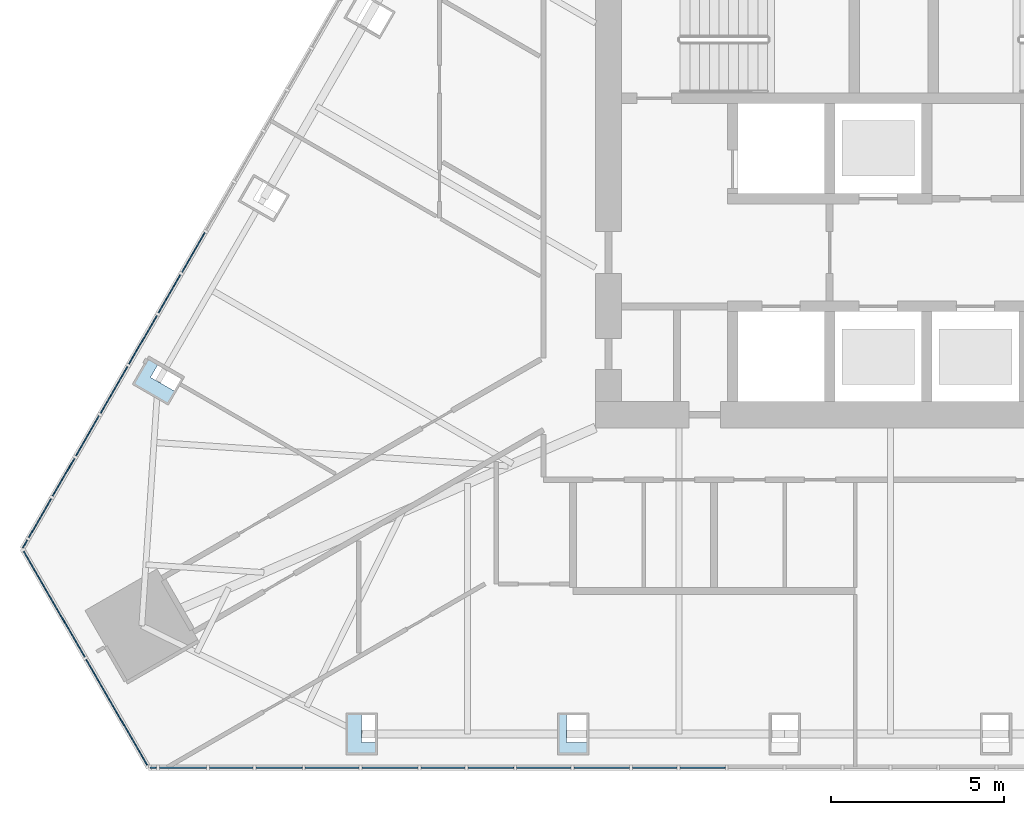
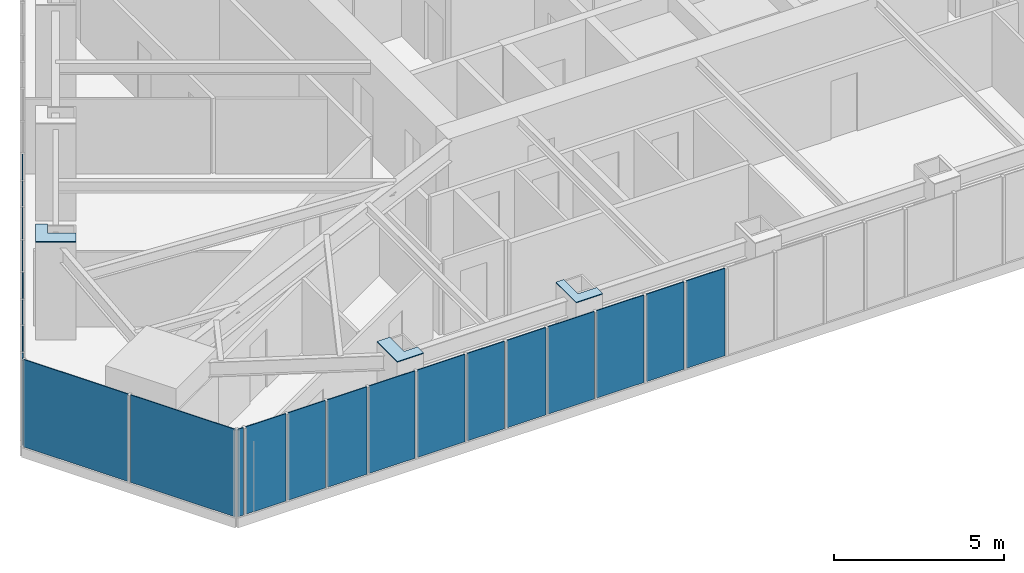
# One storey, part 10 of 20: 25 plates, 3 elements without a shape of their own.
"""IFC4 building model written with IfcOpenShell, lengths in metres."""

from ifc_helpers import new_model, si_unit, direction, frame, origin, place, context, subcontext, project, spatial, polyline, outline, extrude, material, layer, layer_set, type_object, element, aggregate, save


model = new_model("IFC4")

# Units and contexts
model_context = context("Model", 3, precision=1e-05, world=origin(), true_north=direction((0.0, 1.0)))
body_context = subcontext(model_context, "Body", "Model", "MODEL_VIEW")
ifc_project = project(units=[si_unit("LENGTHUNIT", "METRE"), si_unit("AREAUNIT", "SQUARE_METRE"), si_unit("VOLUMEUNIT", "CUBIC_METRE"), si_unit("PLANEANGLEUNIT", "RADIAN"), si_unit("MASSUNIT", "GRAM", prefix="KILO")], contexts=[model_context])

# Site, building, storey
site_placement = place(None, origin())
site = spatial("IfcSite", under=ifc_project, at=site_placement, CompositionType="ELEMENT")
building_placement = place(site_placement, origin())
building = spatial("IfcBuilding", under=site, at=building_placement, Name="Firuza Gate Tower and Library", CompositionType="ELEMENT")
storey_placement = place(building_placement, frame((0.0, 0.0, 305.60009765625)))
storey = spatial("IfcBuildingStorey", under=building, at=storey_placement, Name="L74", CompositionType="ELEMENT", Elevation=305.60009765625)

# Plates
ifc_material_1 = material(Name="Steel S355", Category="steel")
ifc_layer_1 = layer(ifc_material_1, 0.030029296875)
ifc_layer_set_1 = layer_set([ifc_layer_1], Name="Column infill plate 30 Steel S355")
plate_type_1 = type_object("IfcPlateType", Name="Column infill plate 30 Steel S355", PredefinedType="SHEET", material=ifc_layer_set_1)
placement_1 = place(storey_placement, frame((0.0, 0.0, 3.5)))
element("IfcPlate", 1, at=placement_1, inside=storey, type_object=plate_type_1, Name="Infill plate L74:S1", PredefinedType="SHEET", context=body_context, shape_type="SweptSolid", body=[
    extrude(outline(polyline([(60.2099609375, 58.82470703125), (60.2099609375, 59.180419921875), (59.75, 59.180419921875), (59.75, 60.024658203125), (59.31005859375, 60.024658203125), (59.31005859375, 58.82470703125), (60.2099609375, 58.82470703125)])), origin(), (0.0, 0.0, 1.0), 0.02978515625),
])
element("IfcPlate", 2, at=placement_1, inside=storey, type_object=plate_type_1, Name="Infill plate L74:S2", PredefinedType="SHEET", context=body_context, shape_type="SweptSolid", body=[
    extrude(outline(polyline([(66.305908203125, 58.82470703125), (66.305908203125, 59.180419921875), (65.669921875, 59.180419921875), (65.669921875, 60.024658203125), (65.406005859375, 60.024658203125), (65.406005859375, 58.82470703125), (66.305908203125, 58.82470703125)])), origin(), (0.0, 0.0, 1.0), 0.02978515625),
])
element("IfcPlate", 3, at=placement_1, inside=storey, type_object=plate_type_1, Name="Infill plate L74:W6", PredefinedType="SHEET", context=body_context, shape_type="SweptSolid", body=[
    extrude(outline(polyline([(54.18603515625, 68.899658203125), (54.406005859375, 69.28076171875), (53.6748046875, 69.702880859375), (53.90478515625, 70.101318359375), (53.596923828125, 70.279052734375), (53.146728515625, 69.499755859375), (54.18603515625, 68.899658203125)])), origin(), (0.0, 0.0, 1.0), 0.02978515625),
])

# Curtain wall, plates
ifc_material_2 = material(Name="Aluminium 6063-T6", Category="aluminium")
ifc_layer_2 = layer(ifc_material_2, 0.14990234375)
ifc_layer_set_2 = layer_set([ifc_layer_2], Name="Corner curtain wall, chamfers")
curtain_wall_type_1 = type_object("IfcCurtainWallType", Name="Corner curtain wall, chamfers", PredefinedType="NOTDEFINED", material=ifc_layer_set_2)
placement_2 = place(storey_placement, origin())
curtain_wall_1 = element("IfcCurtainWall", 4, at=placement_2, inside=storey, type_object=curtain_wall_type_1, Name="CW4 L74 SW corner", PredefinedType="NOTDEFINED")
ifc_material_3 = material(Name="Fritted glass", Category="glass")
ifc_layer_3 = layer(ifc_material_3, 0.030029296875)
ifc_layer_set_3 = layer_set([ifc_layer_3], Name="Fritted glass unit, corners")
plate_type_2 = type_object("IfcPlateType", Name="Fritted glass unit, corners", PredefinedType="CURTAIN_PANEL", material=ifc_layer_set_3)
plate_4_placement = place(storey_placement, frame((49.984375, 64.718017578125, 0.14990234375), z_axis=(-0.866016723041, -0.500015035186, 0.0), x_axis=(0.500015035186, -0.866016723041, 0.0)))
plate_4 = element("IfcPlate", 5, at=plate_4_placement, type_object=plate_type_2, Name="Glass unit", PredefinedType="CURTAIN_PANEL", context=body_context, shape_type="SweptSolid", body=[
    extrude(outline(polyline([(0.0, 0.0), (3.5633694106530625, 0.0), (3.5633694106530625, 3.14990234375), (0.0, 3.14990234375), (0.0, 0.0)])), origin(), (0.0, 0.0, -1.0), 0.030029296875),
])
plate_5_placement = place(storey_placement, frame((51.80615234375, 61.562744140625, 0.14990234375), z_axis=(-0.866046390552, -0.49996364809, 0.0), x_axis=(0.49996364809, -0.866046390552, 0.0)))
plate_5 = element("IfcPlate", 6, at=plate_5_placement, type_object=plate_type_2, Name="Glass unit", PredefinedType="CURTAIN_PANEL", context=body_context, shape_type="SweptSolid", body=[
    extrude(outline(polyline([(0.0, 0.0), (3.563247342942594, 0.0), (3.563247342942594, 3.14990234375), (0.0, 3.14990234375), (0.0, 0.0)])), origin(), (0.0, 0.0, -1.0), 0.030029296875),
])
aggregate(curtain_wall_1, [plate_4, plate_5])

ifc_material_4 = material(Name="Aluminium 6063-T6", Category="aluminium")
ifc_layer_4 = layer(ifc_material_4, 0.14990234375)
ifc_layer_set_4 = layer_set([ifc_layer_4], Name="Unitised curtain wall, residences")
curtain_wall_type_2 = type_object("IfcCurtainWallType", Name="Unitised curtain wall, residences", PredefinedType="NOTDEFINED", material=ifc_layer_set_4)
curtain_wall_2 = element("IfcCurtainWall", 7, at=placement_2, inside=storey, type_object=curtain_wall_type_2, Name="CW3 L74 S face", PredefinedType="NOTDEFINED")
ifc_material_5 = material(Name="Fritted glass", Category="glass")
ifc_layer_5 = layer(ifc_material_5, 0.030029296875)
ifc_layer_set_5 = layer_set([ifc_layer_5], Name="Fritted glass unit, residences")
plate_type_3 = type_object("IfcPlateType", Name="Fritted glass unit, residences", PredefinedType="CURTAIN_PANEL", material=ifc_layer_set_5)
plate_6_placement = place(storey_placement, frame((53.9267578125, 58.434814453125, 0.14990234375), z_axis=(0.0, -1.0, 0.0), x_axis=(1.0, 0.0, 0.0)))
plate_6 = element("IfcPlate", 8, at=plate_6_placement, type_object=plate_type_3, Name="Glass unit", PredefinedType="CURTAIN_PANEL", context=body_context, shape_type="SweptSolid", body=[
    extrude(outline(polyline([(0.0, 0.0), (1.36669921875, 0.0), (1.36669921875, 3.14990234375), (0.0, 3.14990234375), (0.0, 0.0)])), origin(), (0.0, 0.0, -1.0), 0.030029296875),
])
plate_7_placement = place(storey_placement, frame((58.130615234375, 58.434814453125, 0.14990234375), z_axis=(0.0, -1.0, 0.0), x_axis=(1.0, 0.0, 0.0)))
plate_7 = element("IfcPlate", 9, at=plate_7_placement, type_object=plate_type_3, Name="Glass unit", PredefinedType="CURTAIN_PANEL", context=body_context, shape_type="SweptSolid", body=[
    extrude(outline(polyline([(0.0, 0.0), (1.558349609375, 0.0), (1.558349609375, 3.14990234375), (0.0, 3.14990234375), (0.0, 0.0)])), origin(), (0.0, 0.0, -1.0), 0.030029296875),
])
plate_8_placement = place(storey_placement, frame((59.76904296875, 58.434814453125, 0.14990234375), z_axis=(0.0, -1.0, 0.0), x_axis=(1.0, 0.0, 0.0)))
plate_8 = element("IfcPlate", 10, at=plate_8_placement, type_object=plate_type_3, Name="Glass unit", PredefinedType="CURTAIN_PANEL", context=body_context, shape_type="SweptSolid", body=[
    extrude(outline(polyline([(0.0, 0.0), (1.620361328125, 0.0), (1.620361328125, 3.14990234375), (0.0, 3.14990234375), (0.0, 0.0)])), origin(), (0.0, 0.0, -1.0), 0.030029296875),
])
plate_9_placement = place(storey_placement, frame((64.2265625, 58.434814453125, 0.14990234375), z_axis=(0.0, -1.0, 0.0), x_axis=(1.0, 0.0, 0.0)))
plate_9 = element("IfcPlate", 11, at=plate_9_placement, type_object=plate_type_3, Name="Glass unit", PredefinedType="CURTAIN_PANEL", context=body_context, shape_type="SweptSolid", body=[
    extrude(outline(polyline([(0.0, 0.0), (1.57080078125, 0.0), (1.57080078125, 3.14990234375), (0.0, 3.14990234375), (0.0, 0.0)])), origin(), (0.0, 0.0, -1.0), 0.030029296875),
])
plate_10_placement = place(storey_placement, frame((65.87744140625, 58.434814453125, 0.14990234375), z_axis=(0.0, -1.0, 0.0), x_axis=(1.0, 0.0, 0.0)))
plate_10 = element("IfcPlate", 12, at=plate_10_placement, type_object=plate_type_3, Name="Glass unit", PredefinedType="CURTAIN_PANEL", context=body_context, shape_type="SweptSolid", body=[
    extrude(outline(polyline([(0.0, 0.0), (1.60791015625, 0.0), (1.60791015625, 3.14990234375), (0.0, 3.14990234375), (0.0, 0.0)])), origin(), (0.0, 0.0, -1.0), 0.030029296875),
])

curtain_wall_3 = element("IfcCurtainWall", 13, at=placement_2, inside=storey, type_object=curtain_wall_type_2, Name="CW3 L74 W face", PredefinedType="NOTDEFINED")
plate_11_placement = place(storey_placement, frame((53.8486328125, 71.49560546875, 0.14990234375), z_axis=(-0.866065156741, 0.499931139538, 0.0), x_axis=(-0.499931139538, -0.866065156741, 0.0)))
plate_11 = element("IfcPlate", 14, at=plate_11_placement, type_object=plate_type_3, Name="Glass unit", PredefinedType="CURTAIN_PANEL", context=body_context, shape_type="SweptSolid", body=[
    extrude(outline(polyline([(0.0, 0.0), (1.6203403422686624, 0.0), (1.6203403422686624, 3.14990234375), (0.0, 3.14990234375), (0.0, 0.0)])), origin(), (0.0, 0.0, -1.0), 0.030029296875),
])
plate_12_placement = place(storey_placement, frame((52.99853515625, 70.02294921875, 0.14990234375), z_axis=(-0.866065581584, 0.499930403552, 0.0), x_axis=(-0.499930403552, -0.866065581584, 0.0)))
plate_12 = element("IfcPlate", 15, at=plate_12_placement, type_object=plate_type_3, Name="Glass unit", PredefinedType="CURTAIN_PANEL", context=body_context, shape_type="SweptSolid", body=[
    extrude(outline(polyline([(0.0, 0.0), (1.5583223761549003, 0.0), (1.5583223761549003, 3.14990234375), (0.0, 3.14990234375), (0.0, 0.0)])), origin(), (0.0, 0.0, -1.0), 0.030029296875),
])
plate_13_placement = place(storey_placement, frame((50.80078125, 66.21630859375, 0.14990234375), z_axis=(-0.865995042048, 0.500052584384, 0.0), x_axis=(-0.500052584384, -0.865995042048, 0.0)))
plate_13 = element("IfcPlate", 16, at=plate_13_placement, type_object=plate_type_3, Name="Glass unit", PredefinedType="CURTAIN_PANEL", context=body_context, shape_type="SweptSolid", body=[
    extrude(outline(polyline([(0.0, 0.0), (1.3016209226321132, 0.0), (1.3016209226321132, 3.14990234375), (0.0, 3.14990234375), (0.0, 0.0)])), origin(), (0.0, 0.0, -1.0), 0.030029296875),
])

# Plate
ifc_material_6 = material(Name="Glazed ceramic tile")
ifc_layer_6 = layer(ifc_material_6, 0.030029296875)
ifc_layer_set_6 = layer_set([ifc_layer_6], Name="Opaque ceramic panel, residences")
plate_type_4 = type_object("IfcPlateType", Name="Opaque ceramic panel, residences", PredefinedType="CURTAIN_PANEL", material=ifc_layer_set_6)
plate_14_placement = place(storey_placement, frame((53.66064453125, 58.434814453125, 0.14990234375), z_axis=(0.0, -1.0, 0.0), x_axis=(1.0, 0.0, 0.0)))
plate_14 = element("IfcPlate", 17, at=plate_14_placement, type_object=plate_type_4, Name="Opaque ceramic panel", PredefinedType="CURTAIN_PANEL", context=body_context, shape_type="SweptSolid", body=[
    extrude(outline(polyline([(0.0, 0.0), (0.18603515625, 0.0), (0.18603515625, 3.14990234375), (0.0, 3.14990234375), (0.0, 0.0)])), origin(), (0.0, 0.0, -1.0), 0.030029296875),
])

plate_15_placement = place(storey_placement, frame((55.373291015625, 58.434814453125, 0.14990234375), z_axis=(0.0, -1.0, 0.0), x_axis=(1.0, 0.0, 0.0)))
plate_15 = element("IfcPlate", 18, at=plate_15_placement, type_object=plate_type_4, Name="Opaque ceramic panel", PredefinedType="CURTAIN_PANEL", context=body_context, shape_type="SweptSolid", body=[
    extrude(outline(polyline([(0.0, 0.0), (1.261474609375, 0.0), (1.261474609375, 3.14990234375), (0.0, 3.14990234375), (0.0, 0.0)])), origin(), (0.0, 0.0, -1.0), 0.030029296875),
])

plate_16_placement = place(storey_placement, frame((56.71484375, 58.434814453125, 0.14990234375), z_axis=(0.0, -1.0, 0.0), x_axis=(1.0, 0.0, 0.0)))
plate_16 = element("IfcPlate", 19, at=plate_16_placement, type_object=plate_type_4, Name="Opaque ceramic panel", PredefinedType="CURTAIN_PANEL", context=body_context, shape_type="SweptSolid", body=[
    extrude(outline(polyline([(0.0, 0.0), (1.335693359375, 0.0), (1.335693359375, 3.14990234375), (0.0, 3.14990234375), (0.0, 0.0)])), origin(), (0.0, 0.0, -1.0), 0.030029296875),
])

plate_17_placement = place(storey_placement, frame((61.469482421875, 58.434814453125, 0.14990234375), z_axis=(0.0, -1.0, 0.0), x_axis=(1.0, 0.0, 0.0)))
plate_17 = element("IfcPlate", 20, at=plate_17_placement, type_object=plate_type_4, Name="Opaque ceramic panel", PredefinedType="CURTAIN_PANEL", context=body_context, shape_type="SweptSolid", body=[
    extrude(outline(polyline([(0.0, 0.0), (1.273681640625, 0.0), (1.273681640625, 3.14990234375), (0.0, 3.14990234375), (0.0, 0.0)])), origin(), (0.0, 0.0, -1.0), 0.030029296875),
])

plate_18_placement = place(storey_placement, frame((62.8232421875, 58.434814453125, 0.14990234375), z_axis=(0.0, -1.0, 0.0), x_axis=(1.0, 0.0, 0.0)))
plate_18 = element("IfcPlate", 21, at=plate_18_placement, type_object=plate_type_4, Name="Opaque ceramic panel", PredefinedType="CURTAIN_PANEL", context=body_context, shape_type="SweptSolid", body=[
    extrude(outline(polyline([(0.0, 0.0), (1.323486328125, 0.0), (1.323486328125, 3.14990234375), (0.0, 3.14990234375), (0.0, 0.0)])), origin(), (0.0, 0.0, -1.0), 0.030029296875),
])

plate_19_placement = place(storey_placement, frame((67.5654296875, 58.434814453125, 0.14990234375), z_axis=(0.0, -1.0, 0.0), x_axis=(1.0, 0.0, 0.0)))
plate_19 = element("IfcPlate", 22, at=plate_19_placement, type_object=plate_type_4, Name="Opaque ceramic panel", PredefinedType="CURTAIN_PANEL", context=body_context, shape_type="SweptSolid", body=[
    extrude(outline(polyline([(0.0, 0.0), (1.2861328125, 0.0), (1.2861328125, 3.14990234375), (0.0, 3.14990234375), (0.0, 0.0)])), origin(), (0.0, 0.0, -1.0), 0.030029296875),
])

plate_20_placement = place(storey_placement, frame((68.931640625, 58.434814453125, 0.14990234375), z_axis=(0.0, -1.0, 0.0), x_axis=(1.0, 0.0, 0.0)))
plate_20 = element("IfcPlate", 23, at=plate_20_placement, type_object=plate_type_4, Name="Opaque ceramic panel", PredefinedType="CURTAIN_PANEL", context=body_context, shape_type="SweptSolid", body=[
    extrude(outline(polyline([(0.0, 0.0), (1.31103515625, 0.0), (1.31103515625, 3.14990234375), (0.0, 3.14990234375), (0.0, 0.0)])), origin(), (0.0, 0.0, -1.0), 0.030029296875),
])

aggregate(curtain_wall_2, [plate_14, plate_6, plate_15, plate_16, plate_7, plate_8, plate_17, plate_18, plate_9, plate_10, plate_19, plate_20])

plate_21_placement = place(storey_placement, frame((55.227294921875, 73.88330078125, 0.14990234375), z_axis=(-0.866031967744, 0.499988630717, 0.0), x_axis=(-0.499988630717, -0.866031967744, 0.0)))
plate_21 = element("IfcPlate", 24, at=plate_21_placement, type_object=plate_type_4, Name="Opaque ceramic panel", PredefinedType="CURTAIN_PANEL", context=body_context, shape_type="SweptSolid", body=[
    extrude(outline(polyline([(0.0, 0.0), (1.3232722768142637, 0.0), (1.3232722768142637, 3.14990234375), (0.0, 3.14990234375), (0.0, 0.0)])), origin(), (0.0, 0.0, -1.0), 0.030029296875),
])

plate_22_placement = place(storey_placement, frame((54.525634765625, 72.66796875, 0.14990234375), z_axis=(-0.866029209911, 0.499993407537, 0.0), x_axis=(-0.499993407537, -0.866029209911, 0.0)))
plate_22 = element("IfcPlate", 25, at=plate_22_placement, type_object=plate_type_4, Name="Opaque ceramic panel", PredefinedType="CURTAIN_PANEL", context=body_context, shape_type="SweptSolid", body=[
    extrude(outline(polyline([(0.0, 0.0), (1.2739425780891271, 0.0), (1.2739425780891271, 3.149902343750001), (0.0, 3.149902343750001), (0.0, 0.0)])), origin(), (0.0, 0.0, -1.0), 0.030029296875),
])

plate_23_placement = place(storey_placement, frame((52.179443359375, 68.60400390625, 0.14990234375), z_axis=(-0.865984687501, 0.500070516041, 0.0), x_axis=(-0.500070516041, -0.865984687501, 0.0)))
plate_23 = element("IfcPlate", 26, at=plate_23_placement, type_object=plate_type_4, Name="Opaque ceramic panel", PredefinedType="CURTAIN_PANEL", context=body_context, shape_type="SweptSolid", body=[
    extrude(outline(polyline([(0.0, 0.0), (1.335749116520676, 0.0), (1.335749116520676, 3.14990234375), (0.0, 3.14990234375), (0.0, 0.0)])), origin(), (0.0, 0.0, -1.0), 0.030029296875),
])

plate_24_placement = place(storey_placement, frame((51.471435546875, 67.3779296875, 0.14990234375), z_axis=(-0.86607923909, 0.499906742921, 0.0), x_axis=(-0.499906742921, -0.86607923909, 0.0)))
plate_24 = element("IfcPlate", 27, at=plate_24_placement, type_object=plate_type_4, Name="Opaque ceramic panel", PredefinedType="CURTAIN_PANEL", context=body_context, shape_type="SweptSolid", body=[
    extrude(outline(polyline([(0.0, 0.0), (1.2614657499734259, 0.0), (1.2614657499734259, 3.14990234375), (0.0, 3.14990234375), (0.0, 0.0)])), origin(), (0.0, 0.0, -1.0), 0.030029296875),
])

plate_25_placement = place(storey_placement, frame((50.110107421875, 65.019775390625, 0.14990234375), z_axis=(-0.865780878536, 0.500423291185, 0.0), x_axis=(-0.500423291185, -0.865780878536, 0.0)))
plate_25 = element("IfcPlate", 28, at=plate_25_placement, type_object=plate_type_4, Name="Opaque ceramic panel", PredefinedType="CURTAIN_PANEL", context=body_context, shape_type="SweptSolid", body=[
    extrude(outline(polyline([(0.0, 0.0), (0.2512521381192305, 0.0), (0.2512521381192305, 3.14990234375), (0.0, 3.14990234375), (0.0, 0.0)])), origin(), (0.0, 0.0, -1.0), 0.030029296875),
])

aggregate(curtain_wall_3, [plate_21, plate_22, plate_11, plate_12, plate_23, plate_24, plate_13, plate_25])

save(model, "model.ifc")
